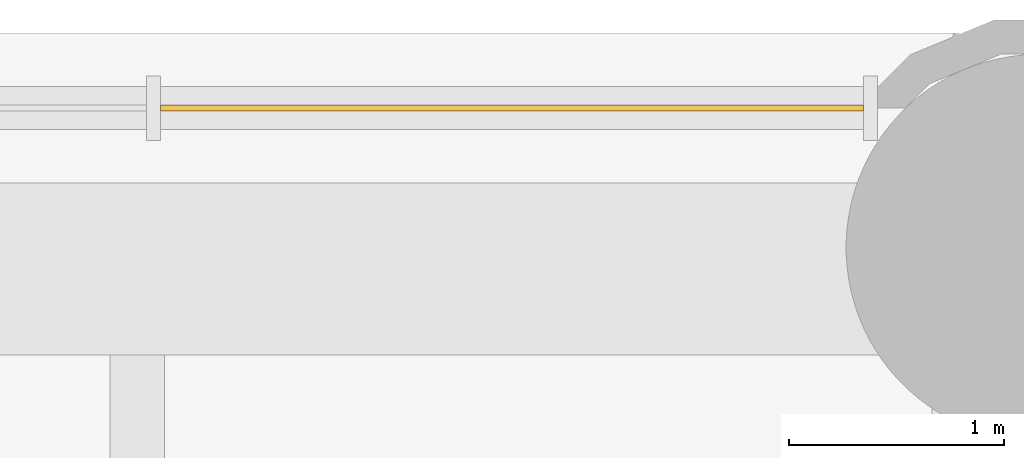
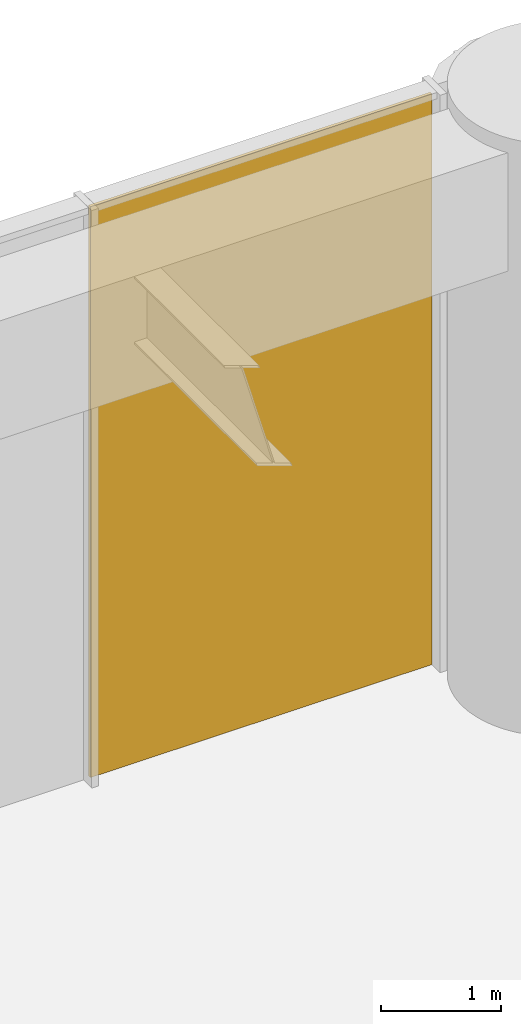
# One storey, part 11 of 11: 1 shading device, 1 element without a shape of its own.
"""IFC4 building model written with IfcOpenShell, lengths in metres."""

import ifcopenshell
import ifcopenshell.guid

model = None  # the IFC model being written
_history = None  # IfcOwnerHistory: only IFC2X3 demands one
_inside = {}  # id of a spatial element -> (the spatial element, [elements in it])
_under = {}  # id of a project, library or spatial element -> (it, [spatial elements below it])
_declared = {}  # id of a project -> (the project, [libraries it declares])
_typed = {}  # id of a type object -> (the type object, [elements of that type])
_made_of = {}  # id of a material, layer set ... -> (it, [elements and type objects made of it])


def new_model(schema):
    """Start an empty IFC model of exactly this schema.

    Asked for "IFC4X3", IfcOpenShell would pick the latest addendum, in which some entities
    have other attributes; the version numbers below select the first issue.
    IFC2X3 requires an IfcOwnerHistory on every rooted entity: one is made here for all.
    """
    global model, _history
    if schema == "IFC4X3":
        model = ifcopenshell.file(schema_version=(4, 3, 0, 0))
    else:
        model = ifcopenshell.file(schema=schema)
    _inside.clear()
    _under.clear()
    _declared.clear()
    _typed.clear()
    _made_of.clear()
    _history = None
    if model.schema == "IFC2X3":
        org = make("IfcOrganization", Name="unknown")
        user = make(
            "IfcPersonAndOrganization",
            ThePerson=make("IfcPerson", FamilyName="unknown"),
            TheOrganization=org,
        )
        app = make(
            "IfcApplication",
            ApplicationDeveloper=org,
            Version="unknown",
            ApplicationFullName="unknown",
            ApplicationIdentifier="unknown",
        )
        _history = make(
            "IfcOwnerHistory",
            OwningUser=user,
            OwningApplication=app,
            ChangeAction="ADDED",
            CreationDate=0,
        )
    return model


def make(cls, **values):
    """One entity of the class cls with the attributes given. An attribute that is None is left unset."""
    return model.create_entity(
        cls, **{name: value for name, value in values.items() if value is not None}
    )


def rooted(cls, **values):
    """An entity with a GlobalId (a new one), such as an element, a storey or a relation."""
    return make(cls, GlobalId=ifcopenshell.guid.new(), OwnerHistory=_history, **values)


def si_unit(unit_type, name, prefix=None):
    """IfcSIUnit, for example si_unit("LENGTHUNIT", "METRE", prefix="MILLI")."""
    return make("IfcSIUnit", UnitType=unit_type, Prefix=prefix, Name=name)


def assignment(units):
    """IfcUnitAssignment: the units of a project."""
    return None if units is None else make("IfcUnitAssignment", Units=units)


def point(xyz):
    """IfcCartesianPoint."""
    return None if xyz is None else make("IfcCartesianPoint", Coordinates=xyz)


def direction(xyz):
    """IfcDirection."""
    return None if xyz is None else make("IfcDirection", DirectionRatios=xyz)


def frame(location, z_axis=None, x_axis=None):
    """IfcAxis2Placement3D, a coordinate frame: its origin and axes. An axis left out is left unset."""
    return make(
        "IfcAxis2Placement3D",
        Location=point(location),
        Axis=direction(z_axis),
        RefDirection=direction(x_axis),
    )


def frame_2d(location, x_axis=None):
    """IfcAxis2Placement2D, a coordinate frame in the plane: its origin and x axis."""
    return make(
        "IfcAxis2Placement2D", Location=point(location), RefDirection=direction(x_axis)
    )


def origin():
    """The frame at (0, 0, 0) with its axes left unset."""
    return frame((0.0, 0.0, 0.0))


def origin_2d():
    """The frame at (0, 0) in the plane with its x axis left unset."""
    return frame_2d((0.0, 0.0))


def place(relative_to, where):
    """IfcLocalPlacement: puts the frame where relative to a parent placement (None: the world)."""
    return make(
        "IfcLocalPlacement", PlacementRelTo=relative_to, RelativePlacement=where
    )


def context(
    kind, dimensions, precision=None, world=None, true_north=None, identifier=None
):
    """IfcGeometricRepresentationContext, for example the 3D "Model" context."""
    return make(
        "IfcGeometricRepresentationContext",
        ContextIdentifier=identifier,
        ContextType=kind,
        CoordinateSpaceDimension=dimensions,
        Precision=precision,
        WorldCoordinateSystem=world,
        TrueNorth=true_north,
    )


def subcontext(parent, identifier, kind, view, scale=None):
    """IfcGeometricRepresentationSubContext, for example "Body" below "Model"."""
    return make(
        "IfcGeometricRepresentationSubContext",
        ContextIdentifier=identifier,
        ContextType=kind,
        ParentContext=parent,
        TargetScale=scale,
        TargetView=view,
    )


def project(units=None, contexts=None):
    """IfcProject with its units and contexts."""
    return rooted(
        "IfcProject",
        Name="project",
        RepresentationContexts=contexts,
        UnitsInContext=assignment(units),
    )


def spatial(cls, under=None, at=None, **own):
    """A site, building, storey or space (cls), placed at a placement, below another one or the project."""
    s = rooted(cls, ObjectPlacement=at, **own)
    if under is not None:
        _under.setdefault(under.id(), (under, []))[1].append(s)
    return s


def profile(cls, at=None, kind="AREA", **sizes):
    """A parametric profile (cls). Its sizes go by their IFC names, for example OverallWidth=200.0."""
    return make(cls, ProfileType=kind, Position=at, **sizes)


def rectangle(**sizes):
    """IfcRectangleProfileDef."""
    return profile("IfcRectangleProfileDef", **sizes)


def extrude(swept, where, along, depth):
    """IfcExtrudedAreaSolid: the profile swept, set in the frame where, extruded along a direction by depth."""
    return make(
        "IfcExtrudedAreaSolid",
        SweptArea=swept,
        Position=where,
        ExtrudedDirection=direction(along),
        Depth=depth,
    )


def shape(context_of_items, identifier, shape_type, items):
    """IfcShapeRepresentation: the items that make up one representation, for example the "Body"."""
    return make(
        "IfcShapeRepresentation",
        ContextOfItems=context_of_items,
        RepresentationIdentifier=identifier,
        RepresentationType=shape_type,
        Items=items,
    )


def material(Name=None, Category=None):
    """IfcMaterial."""
    return make("IfcMaterial", Name=Name, Category=Category)


def layer(
    of_material, thickness, ventilated=None, Name=None, Category=None, Priority=None
):
    """IfcMaterialLayer: one layer of a wall or slab, of a material (None: an air gap)."""
    return make(
        "IfcMaterialLayer",
        Material=of_material,
        LayerThickness=thickness,
        IsVentilated=ventilated,
        Name=Name,
        Category=Category,
        Priority=Priority,
    )


def layer_set(layers, Name=None):
    """IfcMaterialLayerSet."""
    return make("IfcMaterialLayerSet", MaterialLayers=layers, LayerSetName=Name)


def made_of(thing, what):
    """Note that an element or type object is made of a material, layer set ...; save() writes the relation."""
    if what is not None:
        _made_of.setdefault(what.id(), (what, []))[1].append(thing)
    return thing


def type_object(cls, material=None, **own):
    """A type object (cls), such as IfcWallType, which elements share."""
    return made_of(rooted(cls, **own), material)


def element(
    cls,
    number,
    at=None,
    inside=None,
    cuts=None,
    type_object=None,
    material=None,
    context=None,
    identifier="Body",
    shape_type=None,
    held_by="IfcProductDefinitionShape",
    body=None,
    shapes=None,
    **own,
):
    """One element of the class cls, such as IfcWall. Its Tag is "e" and its number.

    at: its placement. inside: the storey or other place that contains it. cuts: it is an
    opening in that element (IfcRelVoidsElement). A single representation is given by context,
    identifier, shape_type and body (its items); several are given by shapes. held_by: the class
    of the entity that holds the representations. save() writes the other relations.
    """
    e = rooted(cls, Tag="e%d" % number, ObjectPlacement=at, **own)
    if body is not None:
        shapes = [shape(context, identifier, shape_type, body)]
    if shapes is not None:
        e.Representation = make(held_by, Representations=shapes)
    if inside is not None:
        _inside.setdefault(inside.id(), (inside, []))[1].append(e)
    if cuts is not None:
        rooted(
            "IfcRelVoidsElement", RelatingBuildingElement=cuts, RelatedOpeningElement=e
        )
    if type_object is not None:
        _typed.setdefault(type_object.id(), (type_object, []))[1].append(e)
    return made_of(e, material)


def aggregate(whole, parts):
    """IfcRelAggregates: a whole, such as a stair, and the parts it consists of."""
    return rooted("IfcRelAggregates", RelatingObject=whole, RelatedObjects=parts)


def save(model, path):
    """Write the relations noted so far, then the file.

    IfcRelAggregates (storeys below a building ...), IfcRelContainedInSpatialStructure (elements
    in a storey), IfcRelDefinesByType, IfcRelAssociatesMaterial and IfcRelDeclares: one each for
    every whole, place, type object, material and project.
    """
    for whole, parts in _under.values():
        aggregate(whole, parts)
    for where, things in _inside.values():
        rooted(
            "IfcRelContainedInSpatialStructure",
            RelatedElements=things,
            RelatingStructure=where,
        )
    for kind, things in _typed.values():
        rooted("IfcRelDefinesByType", RelatedObjects=things, RelatingType=kind)
    for what, things in _made_of.values():
        rooted("IfcRelAssociatesMaterial", RelatedObjects=things, RelatingMaterial=what)
    for by, libraries in _declared.values():
        rooted("IfcRelDeclares", RelatingContext=by, RelatedDefinitions=libraries)
    model.write(path)


model = new_model("IFC4")

# Units and contexts
model_context = context("Model", 3, precision=1e-05, world=origin(), true_north=direction((0.0, 1.0)))
body_context = subcontext(model_context, "Body", "Model", "MODEL_VIEW")
ifc_project = project(units=[si_unit("LENGTHUNIT", "METRE"), si_unit("AREAUNIT", "SQUARE_METRE"), si_unit("VOLUMEUNIT", "CUBIC_METRE"), si_unit("PLANEANGLEUNIT", "RADIAN"), si_unit("MASSUNIT", "GRAM", prefix="KILO")], contexts=[model_context])

# Site, building, storey
site_placement = place(None, origin())
site = spatial("IfcSite", under=ifc_project, at=site_placement, CompositionType="ELEMENT")
building_placement = place(site_placement, origin())
building = spatial("IfcBuilding", under=site, at=building_placement, Name="Torre Alcanfor", CompositionType="ELEMENT")
storey_placement = place(building_placement, frame((0.0, 0.0, 28.5)))
storey = spatial("IfcBuildingStorey", under=building, at=storey_placement, Name="L06", CompositionType="ELEMENT", Elevation=28.5)

# Curtain wall, shading device
ifc_material_1 = material(Name="Aluminium and glass", Category="aluminium")
curtain_wall_type = type_object("IfcCurtainWallType", Name="CW-D plant floor louvre screen", PredefinedType="NOTDEFINED", material=ifc_material_1)
curtain_wall_placement = place(storey_placement, origin())
curtain_wall = element("IfcCurtainWall", 1, at=curtain_wall_placement, inside=storey, type_object=curtain_wall_type, Name="Curtain wall CW-D L06 11", PredefinedType="NOTDEFINED")
ifc_material_2 = material(Name="Aluminium louvre", Category="aluminium")
ifc_layer = layer(ifc_material_2, 0.028076171875)
ifc_layer_set = layer_set([ifc_layer], Name="CW-D aluminium louvre panel")
shading_device_type = type_object("IfcShadingDeviceType", Name="CW-D aluminium louvre panel", PredefinedType="SHUTTER", material=ifc_layer_set)
shading_device_placement = place(storey_placement, frame((39.544189453125, 59.449951171875, 0.0), z_axis=(0.0, 0.0, 1.0), x_axis=(-1.0, 0.0, 0.0)))
shading_device = element("IfcShadingDevice", 2, at=shading_device_placement, type_object=shading_device_type, Name="CW-D panel 1.1.1", PredefinedType="SHUTTER", context=body_context, shape_type="SweptSolid", body=[
    extrude(rectangle(XDim=3.27294921875, YDim=0.028076171875, at=origin_2d()), origin(), (0.0, 0.0, 1.0), 5.784912109375),
])
aggregate(curtain_wall, [shading_device])

save(model, "model.ifc")
